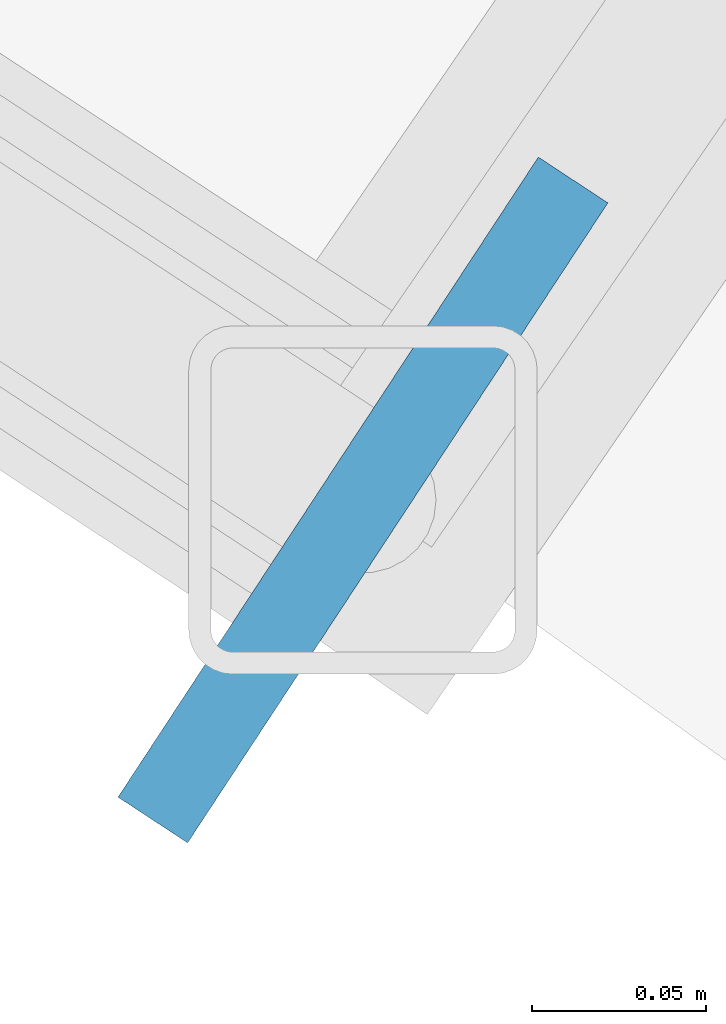
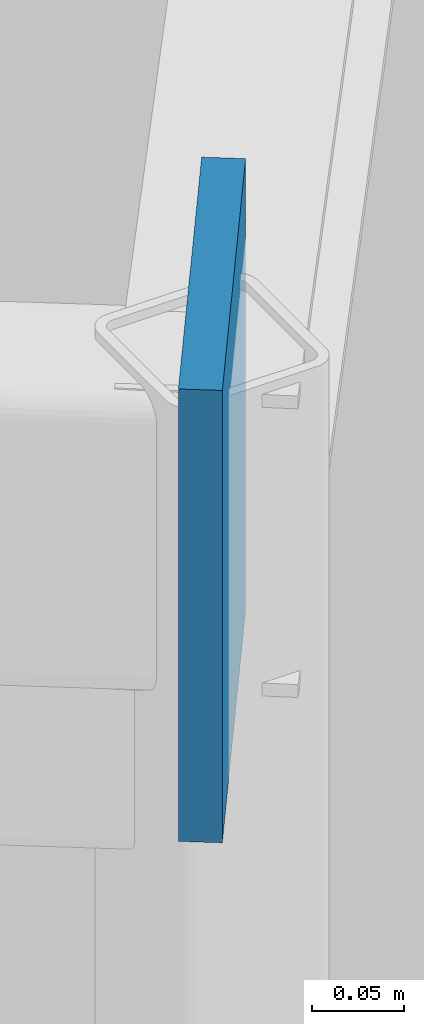
# One storey, part 53 of 101: 1 plate.
"""IFC4 building model written with IfcOpenShell, lengths in metres."""

import ifcopenshell
import ifcopenshell.guid

model = None  # the IFC model being written
_history = None  # IfcOwnerHistory: only IFC2X3 demands one
_inside = {}  # id of a spatial element -> (the spatial element, [elements in it])
_under = {}  # id of a project, library or spatial element -> (it, [spatial elements below it])
_declared = {}  # id of a project -> (the project, [libraries it declares])
_typed = {}  # id of a type object -> (the type object, [elements of that type])
_made_of = {}  # id of a material, layer set ... -> (it, [elements and type objects made of it])


def new_model(schema):
    """Start an empty IFC model of exactly this schema.

    Asked for "IFC4X3", IfcOpenShell would pick the latest addendum, in which some entities
    have other attributes; the version numbers below select the first issue.
    IFC2X3 requires an IfcOwnerHistory on every rooted entity: one is made here for all.
    """
    global model, _history
    if schema == "IFC4X3":
        model = ifcopenshell.file(schema_version=(4, 3, 0, 0))
    else:
        model = ifcopenshell.file(schema=schema)
    _inside.clear()
    _under.clear()
    _declared.clear()
    _typed.clear()
    _made_of.clear()
    _history = None
    if model.schema == "IFC2X3":
        org = make("IfcOrganization", Name="unknown")
        user = make(
            "IfcPersonAndOrganization",
            ThePerson=make("IfcPerson", FamilyName="unknown"),
            TheOrganization=org,
        )
        app = make(
            "IfcApplication",
            ApplicationDeveloper=org,
            Version="unknown",
            ApplicationFullName="unknown",
            ApplicationIdentifier="unknown",
        )
        _history = make(
            "IfcOwnerHistory",
            OwningUser=user,
            OwningApplication=app,
            ChangeAction="ADDED",
            CreationDate=0,
        )
    return model


def make(cls, **values):
    """One entity of the class cls with the attributes given. An attribute that is None is left unset."""
    return model.create_entity(
        cls, **{name: value for name, value in values.items() if value is not None}
    )


def rooted(cls, **values):
    """An entity with a GlobalId (a new one), such as an element, a storey or a relation."""
    return make(cls, GlobalId=ifcopenshell.guid.new(), OwnerHistory=_history, **values)


def si_unit(unit_type, name, prefix=None):
    """IfcSIUnit, for example si_unit("LENGTHUNIT", "METRE", prefix="MILLI")."""
    return make("IfcSIUnit", UnitType=unit_type, Prefix=prefix, Name=name)


def assignment(units):
    """IfcUnitAssignment: the units of a project."""
    return None if units is None else make("IfcUnitAssignment", Units=units)


def point(xyz):
    """IfcCartesianPoint."""
    return None if xyz is None else make("IfcCartesianPoint", Coordinates=xyz)


def direction(xyz):
    """IfcDirection."""
    return None if xyz is None else make("IfcDirection", DirectionRatios=xyz)


def frame(location, z_axis=None, x_axis=None):
    """IfcAxis2Placement3D, a coordinate frame: its origin and axes. An axis left out is left unset."""
    return make(
        "IfcAxis2Placement3D",
        Location=point(location),
        Axis=direction(z_axis),
        RefDirection=direction(x_axis),
    )


def frame_2d(location, x_axis=None):
    """IfcAxis2Placement2D, a coordinate frame in the plane: its origin and x axis."""
    return make(
        "IfcAxis2Placement2D", Location=point(location), RefDirection=direction(x_axis)
    )


def origin():
    """The frame at (0, 0, 0) with its axes left unset."""
    return frame((0.0, 0.0, 0.0))


def origin_2d():
    """The frame at (0, 0) in the plane with its x axis left unset."""
    return frame_2d((0.0, 0.0))


def place(relative_to, where):
    """IfcLocalPlacement: puts the frame where relative to a parent placement (None: the world)."""
    return make(
        "IfcLocalPlacement", PlacementRelTo=relative_to, RelativePlacement=where
    )


def context(
    kind, dimensions, precision=None, world=None, true_north=None, identifier=None
):
    """IfcGeometricRepresentationContext, for example the 3D "Model" context."""
    return make(
        "IfcGeometricRepresentationContext",
        ContextIdentifier=identifier,
        ContextType=kind,
        CoordinateSpaceDimension=dimensions,
        Precision=precision,
        WorldCoordinateSystem=world,
        TrueNorth=true_north,
    )


def subcontext(parent, identifier, kind, view, scale=None):
    """IfcGeometricRepresentationSubContext, for example "Body" below "Model"."""
    return make(
        "IfcGeometricRepresentationSubContext",
        ContextIdentifier=identifier,
        ContextType=kind,
        ParentContext=parent,
        TargetScale=scale,
        TargetView=view,
    )


def project(units=None, contexts=None):
    """IfcProject with its units and contexts."""
    return rooted(
        "IfcProject",
        Name="project",
        RepresentationContexts=contexts,
        UnitsInContext=assignment(units),
    )


def spatial(cls, under=None, at=None, **own):
    """A site, building, storey or space (cls), placed at a placement, below another one or the project."""
    s = rooted(cls, ObjectPlacement=at, **own)
    if under is not None:
        _under.setdefault(under.id(), (under, []))[1].append(s)
    return s


def profile(cls, at=None, kind="AREA", **sizes):
    """A parametric profile (cls). Its sizes go by their IFC names, for example OverallWidth=200.0."""
    return make(cls, ProfileType=kind, Position=at, **sizes)


def rectangle(**sizes):
    """IfcRectangleProfileDef."""
    return profile("IfcRectangleProfileDef", **sizes)


def extrude(swept, where, along, depth):
    """IfcExtrudedAreaSolid: the profile swept, set in the frame where, extruded along a direction by depth."""
    return make(
        "IfcExtrudedAreaSolid",
        SweptArea=swept,
        Position=where,
        ExtrudedDirection=direction(along),
        Depth=depth,
    )


def shape(context_of_items, identifier, shape_type, items):
    """IfcShapeRepresentation: the items that make up one representation, for example the "Body"."""
    return make(
        "IfcShapeRepresentation",
        ContextOfItems=context_of_items,
        RepresentationIdentifier=identifier,
        RepresentationType=shape_type,
        Items=items,
    )


def material(Name=None, Category=None):
    """IfcMaterial."""
    return make("IfcMaterial", Name=Name, Category=Category)


def layer(
    of_material, thickness, ventilated=None, Name=None, Category=None, Priority=None
):
    """IfcMaterialLayer: one layer of a wall or slab, of a material (None: an air gap)."""
    return make(
        "IfcMaterialLayer",
        Material=of_material,
        LayerThickness=thickness,
        IsVentilated=ventilated,
        Name=Name,
        Category=Category,
        Priority=Priority,
    )


def layer_set(layers, Name=None):
    """IfcMaterialLayerSet."""
    return make("IfcMaterialLayerSet", MaterialLayers=layers, LayerSetName=Name)


def made_of(thing, what):
    """Note that an element or type object is made of a material, layer set ...; save() writes the relation."""
    if what is not None:
        _made_of.setdefault(what.id(), (what, []))[1].append(thing)
    return thing


def type_object(cls, material=None, **own):
    """A type object (cls), such as IfcWallType, which elements share."""
    return made_of(rooted(cls, **own), material)


def element(
    cls,
    number,
    at=None,
    inside=None,
    cuts=None,
    type_object=None,
    material=None,
    context=None,
    identifier="Body",
    shape_type=None,
    held_by="IfcProductDefinitionShape",
    body=None,
    shapes=None,
    **own,
):
    """One element of the class cls, such as IfcWall. Its Tag is "e" and its number.

    at: its placement. inside: the storey or other place that contains it. cuts: it is an
    opening in that element (IfcRelVoidsElement). A single representation is given by context,
    identifier, shape_type and body (its items); several are given by shapes. held_by: the class
    of the entity that holds the representations. save() writes the other relations.
    """
    e = rooted(cls, Tag="e%d" % number, ObjectPlacement=at, **own)
    if body is not None:
        shapes = [shape(context, identifier, shape_type, body)]
    if shapes is not None:
        e.Representation = make(held_by, Representations=shapes)
    if inside is not None:
        _inside.setdefault(inside.id(), (inside, []))[1].append(e)
    if cuts is not None:
        rooted(
            "IfcRelVoidsElement", RelatingBuildingElement=cuts, RelatedOpeningElement=e
        )
    if type_object is not None:
        _typed.setdefault(type_object.id(), (type_object, []))[1].append(e)
    return made_of(e, material)


def aggregate(whole, parts):
    """IfcRelAggregates: a whole, such as a stair, and the parts it consists of."""
    return rooted("IfcRelAggregates", RelatingObject=whole, RelatedObjects=parts)


def save(model, path):
    """Write the relations noted so far, then the file.

    IfcRelAggregates (storeys below a building ...), IfcRelContainedInSpatialStructure (elements
    in a storey), IfcRelDefinesByType, IfcRelAssociatesMaterial and IfcRelDeclares: one each for
    every whole, place, type object, material and project.
    """
    for whole, parts in _under.values():
        aggregate(whole, parts)
    for where, things in _inside.values():
        rooted(
            "IfcRelContainedInSpatialStructure",
            RelatedElements=things,
            RelatingStructure=where,
        )
    for kind, things in _typed.values():
        rooted("IfcRelDefinesByType", RelatedObjects=things, RelatingType=kind)
    for what, things in _made_of.values():
        rooted("IfcRelAssociatesMaterial", RelatedObjects=things, RelatingMaterial=what)
    for by, libraries in _declared.values():
        rooted("IfcRelDeclares", RelatingContext=by, RelatedDefinitions=libraries)
    model.write(path)


model = new_model("IFC4")

# Units and contexts
model_context = context("Model", 3, precision=1e-05, world=origin(), true_north=direction((0.0, 1.0)))
body_context = subcontext(model_context, "Body", "Model", "MODEL_VIEW")
ifc_project = project(units=[si_unit("LENGTHUNIT", "METRE"), si_unit("AREAUNIT", "SQUARE_METRE"), si_unit("VOLUMEUNIT", "CUBIC_METRE"), si_unit("PLANEANGLEUNIT", "RADIAN"), si_unit("MASSUNIT", "GRAM", prefix="KILO"), si_unit("POWERUNIT", "WATT"), si_unit("THERMODYNAMICTEMPERATUREUNIT", "KELVIN")], contexts=[model_context])

# Site, building, storey
site_placement = place(None, origin())
site = spatial("IfcSite", under=ifc_project, at=site_placement, CompositionType="ELEMENT")
building_placement = place(site_placement, origin())
building = spatial("IfcBuilding", under=site, at=building_placement, Name="Ruvembo Vaulted Housing Court", CompositionType="ELEMENT")
storey_placement = place(building_placement, frame((0.0, 0.0, 17.300048828125)))
storey = spatial("IfcBuildingStorey", under=building, at=storey_placement, Name="L05", CompositionType="ELEMENT", Elevation=17.300048828125)

# Plate
ifc_material = material(Name="Steel S355J2", Category="steel")
ifc_layer = layer(ifc_material, 0.01611328125, Name="Steel S355J2")
ifc_layer_set = layer_set([ifc_layer], Name="Steel S355J2")
plate_type = type_object("IfcPlateType", Name="PL-NODE-GUSSET-16", PredefinedType="USERDEFINED", material=ifc_layer_set)
plate_placement = place(storey_placement, frame((142.9326171875, 87.751220703125, 2.68212890625), z_axis=(0.0, 0.0, 1.0), x_axis=(0.835845688355, -0.548964466299, 0.0)))
element("IfcPlate", 1, at=plate_placement, inside=storey, type_object=plate_type, Name="Scoop SC3 L05 Hollow Spandrel End Cap Plate 28", ObjectType="GUSSET_PLATE", PredefinedType="USERDEFINED", context=body_context, shape_type="SweptSolid", body=[
    extrude(rectangle(XDim=0.02392578125, YDim=0.219970703125, at=origin_2d()), origin(), (0.0, 0.0, 1.0), 0.300048828125),
])

save(model, "model.ifc")
